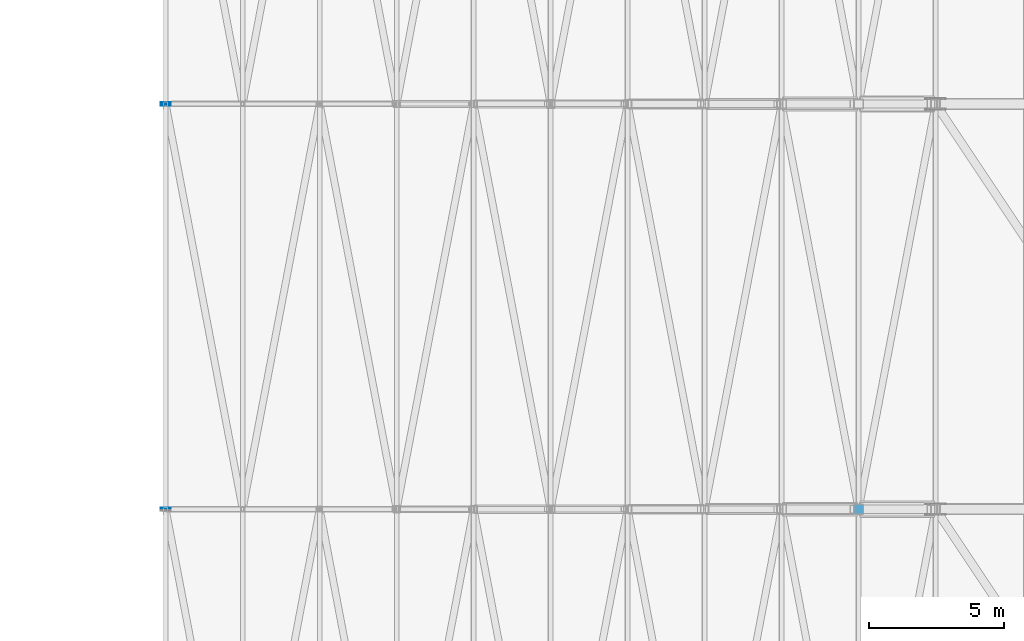
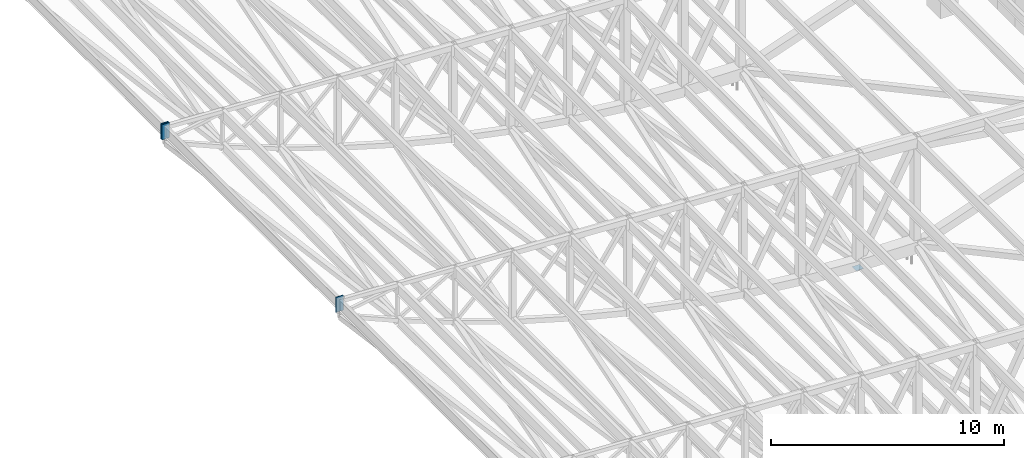
# One storey, part 198 of 278: 4 discrete accessories.
"""IFC4 building model written with IfcOpenShell, lengths in metres."""

from ifc_helpers import new_model, si_unit, direction, frame, origin, origin_2d, place, context, subcontext, project, spatial, rectangle, extrude, material, layer, layer_set, type_object, element, save


model = new_model("IFC4")

# Units and contexts
model_context = context("Model", 3, precision=1e-05, world=origin(), true_north=direction((0.0, 1.0)))
body_context = subcontext(model_context, "Body", "Model", "MODEL_VIEW")
ifc_project = project(units=[si_unit("LENGTHUNIT", "METRE"), si_unit("AREAUNIT", "SQUARE_METRE"), si_unit("VOLUMEUNIT", "CUBIC_METRE"), si_unit("PLANEANGLEUNIT", "RADIAN"), si_unit("MASSUNIT", "GRAM", prefix="KILO")], contexts=[model_context])

# Site, building, storey
site_placement = place(None, origin())
site = spatial("IfcSite", under=ifc_project, at=site_placement, CompositionType="ELEMENT")
building_placement = place(site_placement, origin())
building = spatial("IfcBuilding", under=site, at=building_placement, Name="Ogive Plaza Stadium", CompositionType="ELEMENT")
storey_placement = place(building_placement, frame((0.0, 0.0, 29.0)))
storey = spatial("IfcBuildingStorey", under=building, at=storey_placement, Name="Roof", CompositionType="ELEMENT", Elevation=29.0)

# Discrete accessories
ifc_material_1 = material(Name="Steel ASTM A992 Grade 50", Category="steel")
ifc_layer_1 = layer(ifc_material_1, 0.030029296875)
ifc_layer_set_1 = layer_set([ifc_layer_1], Name="Steel ASTM A992 Grade 50")
discrete_accessory_type_1 = type_object("IfcDiscreteAccessoryType", Name="Ring beam end plate 30", PredefinedType="ANCHORPLATE", material=ifc_layer_set_1)
for number, where, z_axis, x_axis, name in (
    (1, (45.5, 7.546142578125, 6.7265625), (0.0, 0.0, 1.0), (0.0, -1.0, 0.0), "RING BEAM END PLATE B03 2"),
    (2, (45.5, 7.453857421875, 6.7265625), (0.0, 0.0, 1.0), (0.0, -1.0, 0.0), "RING BEAM END PLATE B04 1"),
    (3, (45.5, -7.453857421875, 6.7265625), (0.0, 0.0, 1.0), (0.0, -1.0, 0.0), "RING BEAM END PLATE B04 2"),
):
    element("IfcDiscreteAccessory", number, at=place(storey_placement, frame(where, z_axis=z_axis, x_axis=x_axis)), inside=storey, type_object=discrete_accessory_type_1, Name=name, PredefinedType="ANCHORPLATE", context=body_context, shape_type="SweptSolid", body=[
        extrude(rectangle(XDim=0.030029296875, YDim=0.3779296875, at=origin_2d()), origin(), (0.0, 0.0, 1.0), 0.798583984375),
    ])
ifc_material_2 = material(Name="Steel ASTM A992 Grade 50", Category="steel")
ifc_layer_2 = layer(ifc_material_2, 0.02001953125)
ifc_layer_set_2 = layer_set([ifc_layer_2], Name="Steel ASTM A992 Grade 50")
discrete_accessory_type_2 = type_object("IfcDiscreteAccessoryType", Name="Roof truss post cap plate 20", PredefinedType="ANCHORPLATE", material=ifc_layer_set_2)
discrete_accessory_placement = place(storey_placement, frame((71.14990234375, -7.5, 0.04541015625), z_axis=(0.0, 0.0, 1.0), x_axis=(1.0, 0.0, 0.0)))
element("IfcDiscreteAccessory", 4, at=discrete_accessory_placement, inside=storey, type_object=discrete_accessory_type_2, Name="ROOF TRUSS POST CAP PLATE 05 10", PredefinedType="ANCHORPLATE", context=body_context, shape_type="SweptSolid", body=[
    extrude(rectangle(XDim=0.355712890625, YDim=0.355712890625, at=origin_2d()), origin(), (0.0, 0.0, 1.0), 0.02001953125),
])

save(model, "model.ifc")
